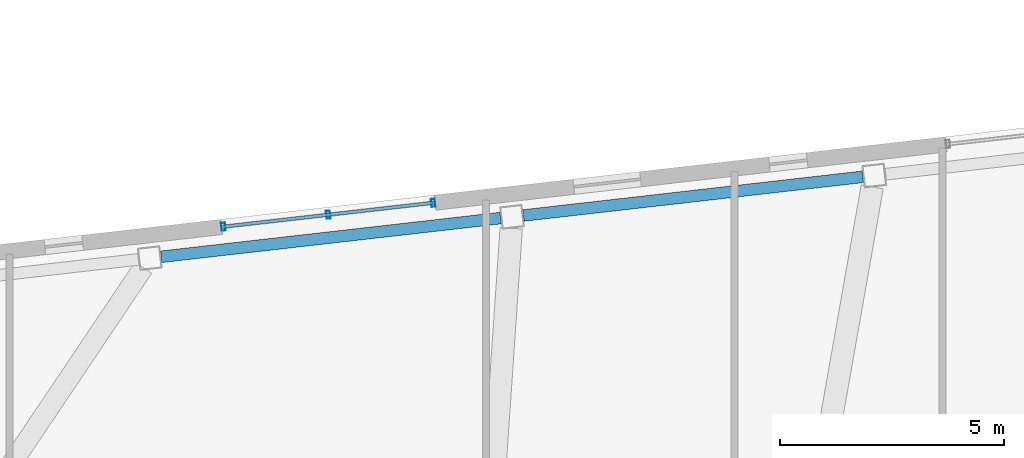
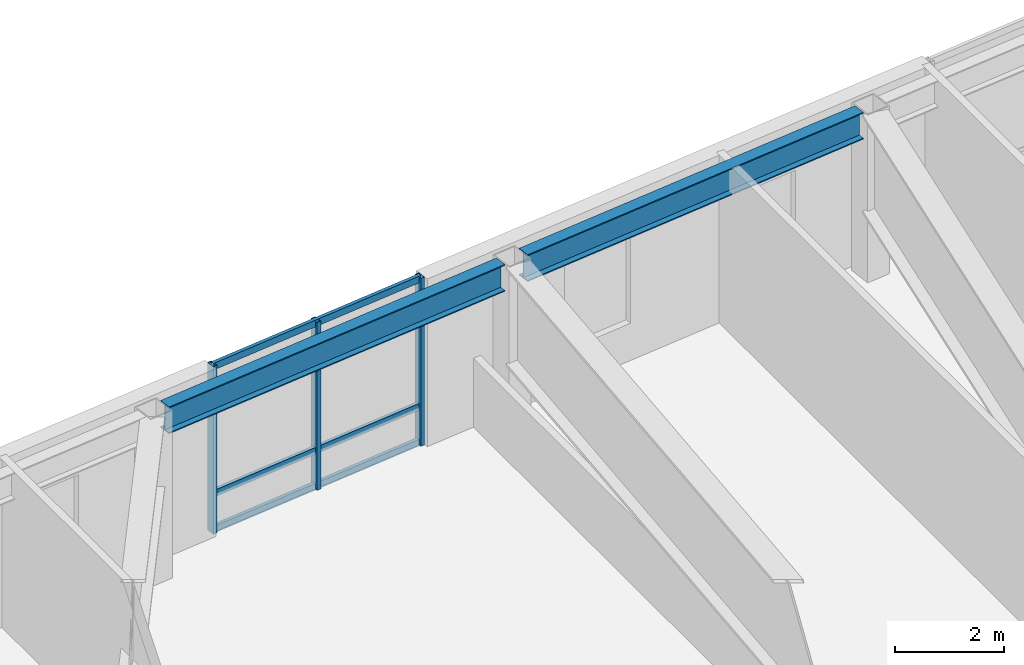
# One storey, part 7 of 18: 6 members, 2 beams, 1 element without a shape of its own.
"""IFC4 building model written with IfcOpenShell, lengths in metres."""

from ifc_helpers import new_model, si_unit, direction, frame, origin, origin_2d, place, context, subcontext, project, spatial, hollow_rectangle, i_section, extrude, material, layer, layer_set, material_profile, profile_set, type_object, element, aggregate, save


model = new_model("IFC4")

# Units and contexts
model_context = context("Model", 3, precision=1e-05, world=origin(), true_north=direction((0.0, 1.0)))
body_context = subcontext(model_context, "Body", "Model", "MODEL_VIEW")
ifc_project = project(units=[si_unit("LENGTHUNIT", "METRE"), si_unit("AREAUNIT", "SQUARE_METRE"), si_unit("VOLUMEUNIT", "CUBIC_METRE"), si_unit("PLANEANGLEUNIT", "RADIAN"), si_unit("MASSUNIT", "GRAM", prefix="KILO")], contexts=[model_context])

# Site, building, storey
site_placement = place(None, origin())
site = spatial("IfcSite", under=ifc_project, at=site_placement, CompositionType="ELEMENT")
building_placement = place(site_placement, origin())
building = spatial("IfcBuilding", under=site, at=building_placement, Name="Tavrogorsk Clinical Tower", CompositionType="ELEMENT")
storey_placement = place(building_placement, frame((0.0, 0.0, 226.199951171875)))
storey = spatial("IfcBuildingStorey", under=building, at=storey_placement, Name="L52", CompositionType="ELEMENT", Elevation=226.199951171875)

# Curtain wall, members
ifc_material_1 = material(Name="Anodised aluminium and triple IGU glazing", Category="aluminium")
ifc_layer = layer(ifc_material_1, 0.179931640625)
ifc_layer_set = layer_set([ifc_layer], Name="Anodised aluminium and triple IGU glazing")
curtain_wall_type = type_object("IfcCurtainWallType", Name="CW2_NorthSlot", PredefinedType="NOTDEFINED", material=ifc_layer_set)
curtain_wall_placement = place(storey_placement, origin())
curtain_wall = element("IfcCurtainWall", 1, at=curtain_wall_placement, inside=storey, type_object=curtain_wall_type, Name="L52 Curtain Wall CW-L52-N-SLOT-1", PredefinedType="NOTDEFINED")
ifc_material_2 = material(Name="Anodised aluminium alloy AW-6060", Category="aluminium")
ifc_material_profile_1 = material_profile(ifc_material_2, hollow_rectangle(XDim=0.090087890625, YDim=0.179931640625, WallThickness=0.00634765625, at=origin_2d()), Name="RHS-180x90x6.3")
ifc_profile_set_1 = profile_set([ifc_material_profile_1], Name="Anodised aluminium alloy AW-6060")
member_type_1 = type_object("IfcMemberType", Name="CwMullion_180x90", PredefinedType="MULLION", material=ifc_profile_set_1)
member_1_placement = place(storey_placement, frame((-10.781982421875, 25.42529296875, 0.0), z_axis=(0.0, 0.0, 1.0), x_axis=(-0.993571855603, -0.11320321441, 0.0)))
member_1 = element("IfcMember", 2, at=member_1_placement, type_object=member_type_1, Name="CW-L52-N-SLOT-1 Mullion 1", PredefinedType="MULLION", context=body_context, shape_type="SweptSolid", body=[
    extrude(hollow_rectangle(XDim=0.090087890625, YDim=0.179931640625, WallThickness=0.00634765625, at=origin_2d()), origin(), (0.0, 0.0, 1.0), 3.739990234375),
])
member_2_placement = place(storey_placement, frame((-13.1259765625, 25.158203125, 0.0), z_axis=(0.0, 0.0, 1.0), x_axis=(-0.993571855603, -0.11320321441, 0.0)))
member_2 = element("IfcMember", 3, at=member_2_placement, type_object=member_type_1, Name="CW-L52-N-SLOT-1 Mullion 2", PredefinedType="MULLION", context=body_context, shape_type="SweptSolid", body=[
    extrude(hollow_rectangle(XDim=0.090087890625, YDim=0.179931640625, WallThickness=0.00634765625, at=origin_2d()), origin(), (0.0, 0.0, 1.0), 3.739990234375),
])
member_3_placement = place(storey_placement, frame((-15.4697265625, 24.89111328125, 0.0), z_axis=(0.0, 0.0, 1.0), x_axis=(-0.993571855603, -0.11320321441, 0.0)))
member_3 = element("IfcMember", 4, at=member_3_placement, type_object=member_type_1, Name="CW-L52-N-SLOT-1 Mullion 3", PredefinedType="MULLION", context=body_context, shape_type="SweptSolid", body=[
    extrude(hollow_rectangle(XDim=0.090087890625, YDim=0.179931640625, WallThickness=0.00634765625, at=origin_2d()), origin(), (0.0, 0.0, 1.0), 3.739990234375),
])
ifc_material_3 = material(Name="Anodised aluminium alloy AW-6060", Category="aluminium")
ifc_material_profile_2 = material_profile(ifc_material_3, hollow_rectangle(XDim=0.074951171875, YDim=0.14990234375, WallThickness=0.0048828125, at=origin_2d()), Name="RHS-150x75x5")
ifc_profile_set_2 = profile_set([ifc_material_profile_2], Name="Anodised aluminium alloy AW-6060")
member_type_2 = type_object("IfcMemberType", Name="CwTransom_150x75", PredefinedType="USERDEFINED", material=ifc_profile_set_2)
member_4_placement = place(storey_placement, frame((-10.781982421875, 25.42529296875, 0.050048828125), z_axis=(-0.993569979218, -0.113219682023, 0.0), x_axis=(0.113219682023, -0.993569979218, 0.0)))
member_4 = element("IfcMember", 5, at=member_4_placement, type_object=member_type_2, Name="CW-L52-N-SLOT-1 Transom 1", ObjectType="TRANSOM", PredefinedType="USERDEFINED", context=body_context, shape_type="SweptSolid", body=[
    extrude(hollow_rectangle(XDim=0.074951171875, YDim=0.14990234375, WallThickness=0.0048828125, at=origin_2d()), origin(), (0.0, 0.0, 1.0), 4.718017578125),
])
member_5_placement = place(storey_placement, frame((-10.781982421875, 25.42529296875, 0.85009765625), z_axis=(-0.993569979218, -0.113219682023, 0.0), x_axis=(0.113219682023, -0.993569979218, 0.0)))
member_5 = element("IfcMember", 6, at=member_5_placement, type_object=member_type_2, Name="CW-L52-N-SLOT-1 Transom 2", ObjectType="TRANSOM", PredefinedType="USERDEFINED", context=body_context, shape_type="SweptSolid", body=[
    extrude(hollow_rectangle(XDim=0.074951171875, YDim=0.14990234375, WallThickness=0.0048828125, at=origin_2d()), origin(), (0.0, 0.0, 1.0), 4.718017578125),
])
member_6_placement = place(storey_placement, frame((-10.781982421875, 25.42529296875, 3.68994140625), z_axis=(-0.993569979218, -0.113219682023, 0.0), x_axis=(0.113219682023, -0.993569979218, 0.0)))
member_6 = element("IfcMember", 7, at=member_6_placement, type_object=member_type_2, Name="CW-L52-N-SLOT-1 Transom 3", ObjectType="TRANSOM", PredefinedType="USERDEFINED", context=body_context, shape_type="SweptSolid", body=[
    extrude(hollow_rectangle(XDim=0.074951171875, YDim=0.14990234375, WallThickness=0.0048828125, at=origin_2d()), origin(), (0.0, 0.0, 1.0), 4.718017578125),
])
aggregate(curtain_wall, [member_1, member_2, member_3, member_4, member_5, member_6])

# Beams
ifc_material_4 = material(Name="Structural steel S390", Category="steel")
ifc_material_profile_3 = material_profile(ifc_material_4, i_section(OverallWidth=0.260009765625, OverallDepth=0.60009765625, WebThickness=0.014892578125, FlangeThickness=0.02392578125, at=origin_2d()), Name="B-600x260x15x24")
ifc_profile_set_3 = profile_set([ifc_material_profile_3], Name="Structural steel S390")
beam_type = type_object("IfcBeamType", Name="SpandrelBeam_B600", PredefinedType="SPANDREL", material=ifc_profile_set_3)
for number, where, z_axis, x_axis, name in (
    (8, (-1.18017578125, 26.006103515625, 3.43994140625), (-0.993568501687, -0.113232647478, 0.0), (0.113232647478, -0.993568501687, 0.0), "L52 Perimeter Spandrel N4-N5"),
    (9, (-9.2763671875, 25.08349609375, 3.43994140625), (-0.993572099834, -0.113201070804, 0.0), (0.113201070804, -0.993572099834, 0.0), "L52 Perimeter Spandrel N5-N6"),
):
    element("IfcBeam", number, at=place(storey_placement, frame(where, z_axis=z_axis, x_axis=x_axis)), inside=storey, type_object=beam_type, Name=name, PredefinedType="SPANDREL", context=body_context, shape_type="SweptSolid", body=[
        extrude(i_section(OverallWidth=0.260009765625, OverallDepth=0.60009765625, WebThickness=0.014892578125, FlangeThickness=0.02392578125, at=origin_2d()), origin(), (0.0, 0.0, 1.0), 7.632568359375),
    ])

save(model, "model.ifc")
